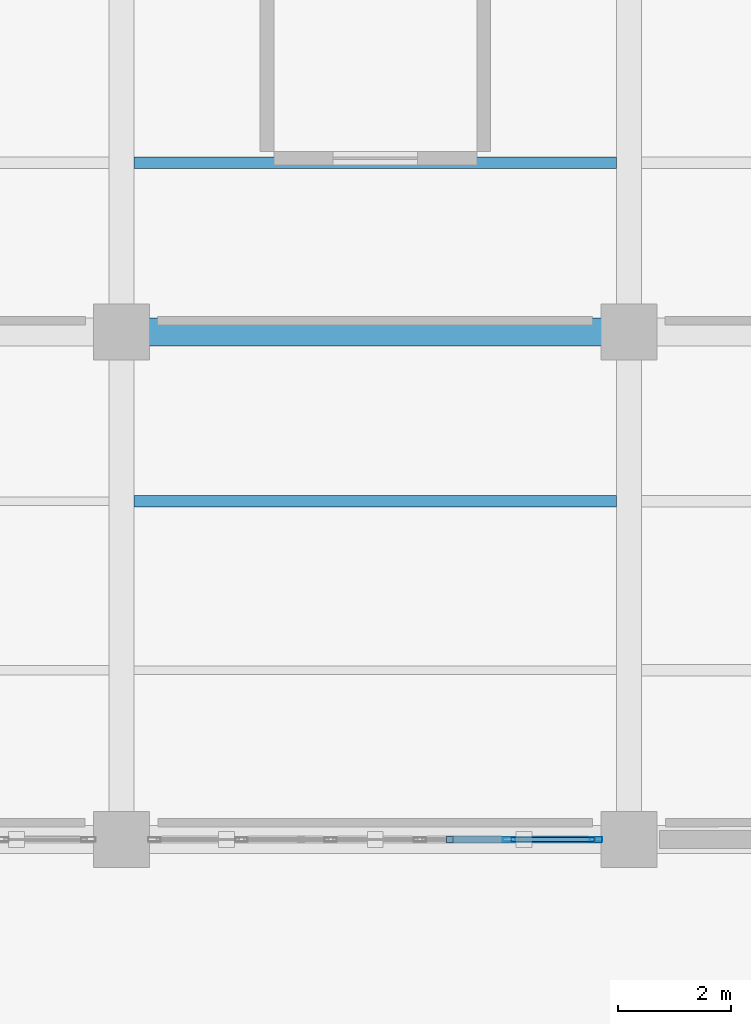
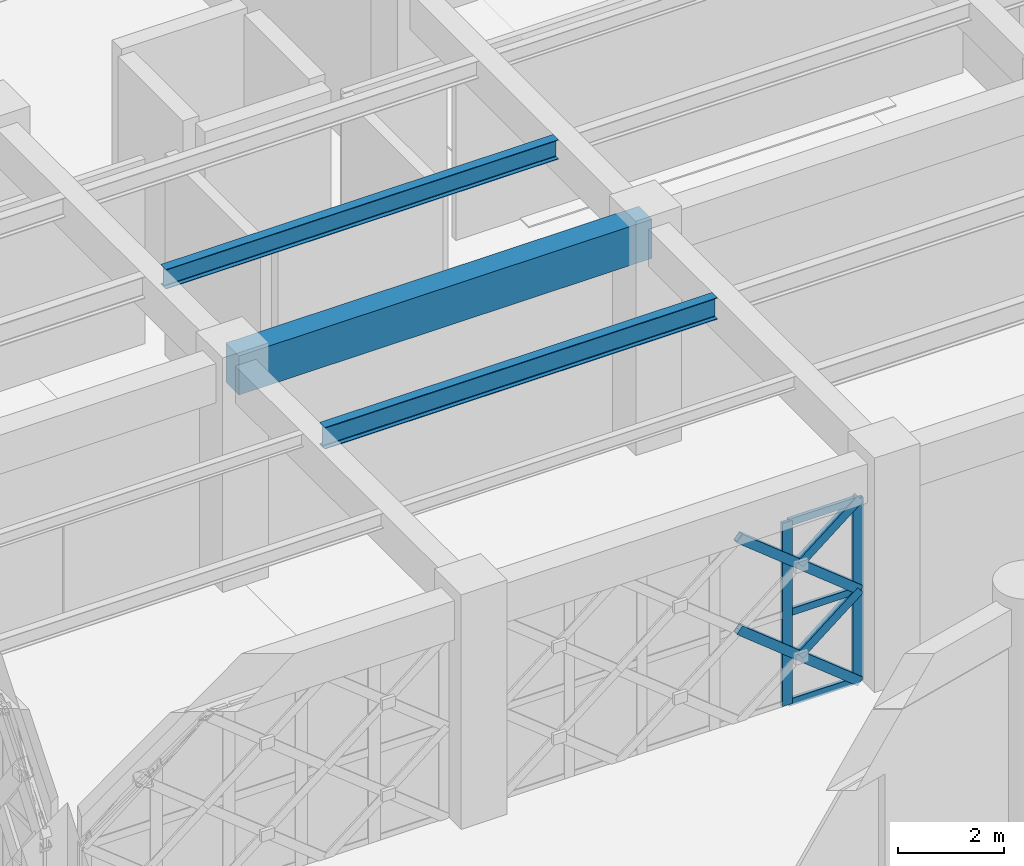
# One storey, part 57 of 140: 9 members, 3 beams, 1 element without a shape of its own.
"""IFC4 building model written with IfcOpenShell, lengths in metres."""

from ifc_helpers import new_model, si_unit, direction, frame, origin, origin_2d, place, context, subcontext, project, spatial, rectangle, hollow_rectangle, i_section, extrude, material, material_profile, profile_set, type_object, element, aggregate, save


model = new_model("IFC4")

# Units and contexts
model_context = context("Model", 3, precision=1e-05, world=origin(), true_north=direction((0.0, 1.0)))
body_context = subcontext(model_context, "Body", "Model", "MODEL_VIEW")
ifc_project = project(units=[si_unit("LENGTHUNIT", "METRE"), si_unit("AREAUNIT", "SQUARE_METRE"), si_unit("VOLUMEUNIT", "CUBIC_METRE"), si_unit("PLANEANGLEUNIT", "RADIAN"), si_unit("MASSUNIT", "GRAM", prefix="KILO")], contexts=[model_context])

# Site, building, storey
site_placement = place(None, origin())
site = spatial("IfcSite", under=ifc_project, at=site_placement, CompositionType="ELEMENT")
building_placement = place(site_placement, origin())
building = spatial("IfcBuilding", under=site, at=building_placement, Name="Haizhuo Lancet Aquarium", CompositionType="ELEMENT")
storey_placement = place(building_placement, origin())
storey = spatial("IfcBuildingStorey", under=building, at=storey_placement, Name="L00", CompositionType="ELEMENT", Elevation=0.0)

# Beam
ifc_material_1 = material(Name="Concrete C40/50", Category="concrete")
ifc_material_profile_1 = material_profile(ifc_material_1, rectangle(XDim=0.5, YDim=0.89990234375, at=origin_2d()), Name="RC-BM 500x900")
ifc_profile_set_1 = profile_set([ifc_material_profile_1], Name="Concrete C40/50")
beam_type_1 = type_object("IfcBeamType", Name="BM-RC-500x900", PredefinedType="BEAM", material=ifc_profile_set_1)
beam_1_placement = place(storey_placement, frame((-9.0, 36.0, 4.669921875), z_axis=(1.0, 0.0, 0.0), x_axis=(0.0, 1.0, 0.0)))
element("IfcBeam", 1, at=beam_1_placement, inside=storey, type_object=beam_type_1, Name="L00 V5 primary girder BM-L00-V5-013", PredefinedType="BEAM", context=body_context, shape_type="SweptSolid", body=[
    extrude(rectangle(XDim=0.5, YDim=0.89990234375, at=origin_2d()), origin(), (0.0, 0.0, 1.0), 9.0),
])

# Curtain wall, members
ifc_material_2 = material(Name="Aluminium 6063-T6", Category="aluminium")
curtain_wall_type = type_object("IfcCurtainWallType", Name="CWO-7910x4220", PredefinedType="NOTDEFINED", material=ifc_material_2)
curtain_wall_placement = place(storey_placement, origin())
curtain_wall = element("IfcCurtainWall", 2, at=curtain_wall_placement, inside=storey, type_object=curtain_wall_type, Name="L00 curtain wall CW-V5-L00-125", PredefinedType="NOTDEFINED")
ifc_material_profile_2 = material_profile(ifc_material_2, hollow_rectangle(XDim=0.074951171875, YDim=0.219970703125, WallThickness=0.0048828125, at=origin_2d()), Name="ALU-M 75x220x5")
ifc_profile_set_2 = profile_set([ifc_material_profile_2], Name="Aluminium 6063-T6")
member_type_1 = type_object("IfcMemberType", Name="CW-MUL-2", PredefinedType="MULLION", material=ifc_profile_set_2)
member_1_placement = place(storey_placement, frame((-0.5830078125, 27.0, 0.0), z_axis=(0.0, 0.0, 1.0), x_axis=(0.0, -1.0, 0.0)))
member_1 = element("IfcMember", 3, at=member_1_placement, type_object=member_type_1, Name="CWO-79x42 mullion 1", PredefinedType="MULLION", context=body_context, shape_type="SweptSolid", body=[
    extrude(hollow_rectangle(XDim=0.074951171875, YDim=0.219970703125, WallThickness=0.0048828125, at=origin_2d()), origin(), (0.0, 0.0, 1.0), 4.219970703125),
])
member_2_placement = place(storey_placement, frame((-2.126953125, 27.0, 0.0), z_axis=(0.0, 0.0, 1.0), x_axis=(0.0, -1.0, 0.0)))
member_2 = element("IfcMember", 4, at=member_2_placement, type_object=member_type_1, Name="CWO-79x42 mullion 2", PredefinedType="MULLION", context=body_context, shape_type="SweptSolid", body=[
    extrude(hollow_rectangle(XDim=0.074951171875, YDim=0.219970703125, WallThickness=0.0048828125, at=origin_2d()), origin(), (0.0, 0.0, 1.0), 4.219970703125),
])
ifc_material_profile_3 = material_profile(ifc_material_2, hollow_rectangle(XDim=0.074951171875, YDim=0.159912109375, WallThickness=0.00390625, at=origin_2d()), Name="ALU-T 75x160x4")
ifc_profile_set_3 = profile_set([ifc_material_profile_3], Name="Aluminium 6063-T6")
member_type_2 = type_object("IfcMemberType", Name="CW-TRN-2", PredefinedType="NOTDEFINED", material=ifc_profile_set_3)
member_3_placement = place(storey_placement, frame((-0.6201171875, 27.0, 0.037109375), z_axis=(-1.0, 0.0, 0.0), x_axis=(0.0, -1.0, 0.0)))
member_3 = element("IfcMember", 5, at=member_3_placement, type_object=member_type_2, Name="CWO-79x42 transom 1.1", ObjectType="TRANSOM", PredefinedType="USERDEFINED", context=body_context, shape_type="SweptSolid", body=[
    extrude(hollow_rectangle(XDim=0.074951171875, YDim=0.159912109375, WallThickness=0.00390625, at=origin_2d()), origin(), (0.0, 0.0, 1.0), 1.469970703125),
])
member_4_placement = place(storey_placement, frame((-0.6201171875, 27.0, 2.110107421875), z_axis=(-1.0, 0.0, 0.0), x_axis=(0.0, -1.0, 0.0)))
member_4 = element("IfcMember", 6, at=member_4_placement, type_object=member_type_2, Name="CWO-79x42 transom 1.2", ObjectType="TRANSOM", PredefinedType="USERDEFINED", context=body_context, shape_type="SweptSolid", body=[
    extrude(hollow_rectangle(XDim=0.074951171875, YDim=0.159912109375, WallThickness=0.00390625, at=origin_2d()), origin(), (0.0, 0.0, 1.0), 1.469970703125),
])
member_5_placement = place(storey_placement, frame((-0.6201171875, 27.0, 4.18310546875), z_axis=(-1.0, 0.0, 0.0), x_axis=(0.0, -1.0, 0.0)))
member_5 = element("IfcMember", 7, at=member_5_placement, type_object=member_type_2, Name="CWO-79x42 transom 1.3", ObjectType="TRANSOM", PredefinedType="USERDEFINED", context=body_context, shape_type="SweptSolid", body=[
    extrude(hollow_rectangle(XDim=0.074951171875, YDim=0.159912109375, WallThickness=0.00390625, at=origin_2d()), origin(), (0.0, 0.0, 1.0), 1.469970703125),
])
aggregate(curtain_wall, [member_1, member_2, member_3, member_4, member_5])

# Beams
ifc_material_3 = material(Name="Steel S355", Category="steel")
ifc_material_profile_4 = material_profile(ifc_material_3, i_section(OverallWidth=0.199951171875, OverallDepth=0.449951171875, WebThickness=0.009033203125, FlangeThickness=0.013916015625, FilletRadius=0.01806640625, at=origin_2d()), Name="HN 450x200x9x14")
ifc_profile_set_4 = profile_set([ifc_material_profile_4], Name="Steel S355")
beam_type_2 = type_object("IfcBeamType", Name="JST-ST-HN450", PredefinedType="JOIST", material=ifc_profile_set_4)
beam_2_placement = place(storey_placement, frame((-8.77490234375, 39.0, 4.89501953125), z_axis=(1.0, 0.0, 0.0), x_axis=(0.0, 1.0, 0.0)))
element("IfcBeam", 8, at=beam_2_placement, inside=storey, type_object=beam_type_2, Name="L00 V5 secondary floor joist 10", PredefinedType="JOIST", context=body_context, shape_type="SweptSolid", body=[
    extrude(i_section(OverallWidth=0.199951171875, OverallDepth=0.449951171875, WebThickness=0.009033203125, FlangeThickness=0.013916015625, FilletRadius=0.01806640625, at=origin_2d()), origin(), (0.0, 0.0, 1.0), 8.5498046875),
])
ifc_material_profile_5 = material_profile(ifc_material_3, i_section(OverallWidth=0.199951171875, OverallDepth=0.5, WebThickness=0.010009765625, FlangeThickness=0.01611328125, FilletRadius=0.02001953125, at=origin_2d()), Name="HN 500x200x10x16")
ifc_profile_set_5 = profile_set([ifc_material_profile_5], Name="Steel S355")
beam_type_3 = type_object("IfcBeamType", Name="JST-ST-HN500", PredefinedType="JOIST", material=ifc_profile_set_5)
beam_3_placement = place(storey_placement, frame((-8.77490234375, 33.0, 4.8701171875), z_axis=(1.0, 0.0, 0.0), x_axis=(0.0, 1.0, 0.0)))
element("IfcBeam", 9, at=beam_3_placement, inside=storey, type_object=beam_type_3, Name="L00 V5 secondary floor joist 9", PredefinedType="JOIST", context=body_context, shape_type="SweptSolid", body=[
    extrude(i_section(OverallWidth=0.199951171875, OverallDepth=0.5, WebThickness=0.010009765625, FlangeThickness=0.01611328125, FilletRadius=0.02001953125, at=origin_2d()), origin(), (0.0, 0.0, 1.0), 8.5498046875),
])

# Members
ifc_material_profile_6 = material_profile(ifc_material_3, hollow_rectangle(XDim=0.1201171875, YDim=0.199951171875, WallThickness=0.008056640625, at=origin_2d()), Name="RHS 120x200x8")
ifc_profile_set_6 = profile_set([ifc_material_profile_6], Name="Steel S355")
member_type_3 = type_object("IfcMemberType", Name="MEM-LB-RHS120x200", PredefinedType="BRACE", material=ifc_profile_set_6)
member_6_placement = place(storey_placement, frame((-0.544921875, 27.0, 0.0), z_axis=(-0.780791225208, 0.0, 0.624792015505), x_axis=(0.0, -1.0, 0.0)))
element("IfcMember", 10, at=member_6_placement, inside=storey, type_object=member_type_3, Name="Gothic lancet continuous diagonal brace CW-V5-L00-125 1A", PredefinedType="BRACE", context=body_context, shape_type="SweptSolid", body=[
    extrude(hollow_rectangle(XDim=0.1201171875, YDim=0.199951171875, WallThickness=0.008056640625, at=origin_2d()), origin(), (0.0, 0.0, 1.0), 3.377197265625),
])
member_7_placement = place(storey_placement, frame((-1.863037109375, 27.0, 1.054931640625), z_axis=(0.780671274084, 0.0, 0.624941886755), x_axis=(0.0, 1.0, 0.0)))
element("IfcMember", 11, at=member_7_placement, inside=storey, type_object=member_type_3, Name="Gothic lancet split diagonal brace CW-V5-L00-125 1B2", PredefinedType="BRACE", context=body_context, shape_type="SweptSolid", body=[
    extrude(hollow_rectangle(XDim=0.1201171875, YDim=0.199951171875, WallThickness=0.008056640625, at=origin_2d()), origin(), (0.0, 0.0, 1.0), 1.6884765625),
])
member_8_placement = place(storey_placement, frame((-0.544921875, 27.0, 2.110107421875), z_axis=(-0.780826490351, 0.0, 0.624747942747), x_axis=(0.0, -1.0, 0.0)))
element("IfcMember", 12, at=member_8_placement, inside=storey, type_object=member_type_3, Name="Gothic lancet continuous diagonal brace CW-V5-L00-125 2A", PredefinedType="BRACE", context=body_context, shape_type="SweptSolid", body=[
    extrude(hollow_rectangle(XDim=0.1201171875, YDim=0.199951171875, WallThickness=0.008056640625, at=origin_2d()), origin(), (0.0, 0.0, 1.0), 3.377197265625),
])
member_9_placement = place(storey_placement, frame((-1.863037109375, 27.0, 3.1650390625), z_axis=(0.78074181991, 0.0, 0.624853751404), x_axis=(0.0, 1.0, 0.0)))
element("IfcMember", 13, at=member_9_placement, inside=storey, type_object=member_type_3, Name="Gothic lancet split diagonal brace CW-V5-L00-125 2B2", PredefinedType="BRACE", context=body_context, shape_type="SweptSolid", body=[
    extrude(hollow_rectangle(XDim=0.1201171875, YDim=0.199951171875, WallThickness=0.008056640625, at=origin_2d()), origin(), (0.0, 0.0, 1.0), 1.688232421875),
])

save(model, "model.ifc")
